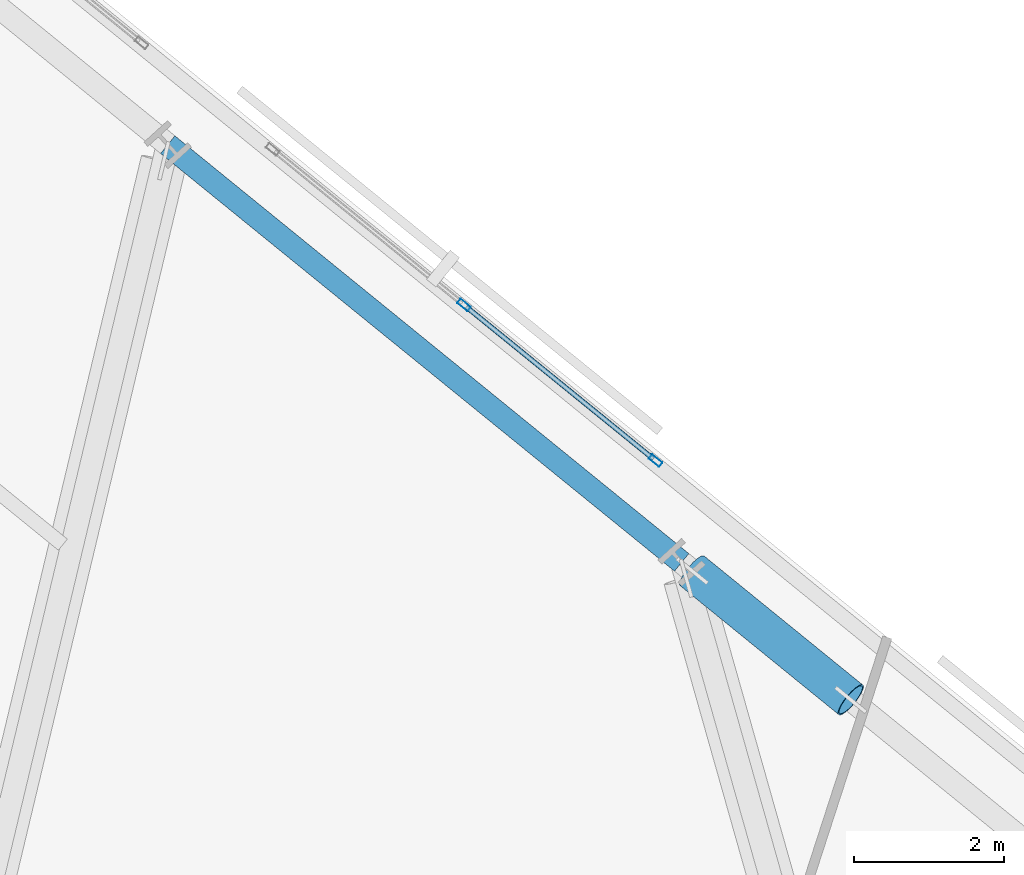
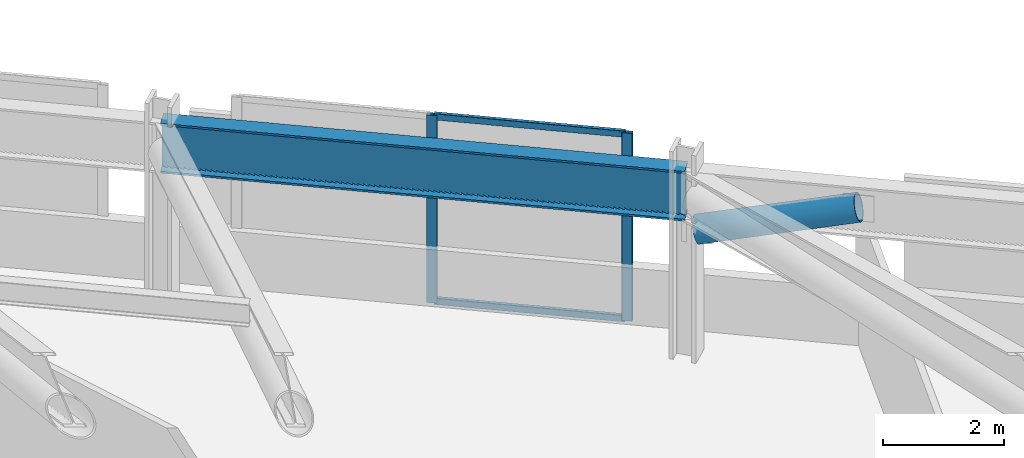
# One storey, part 9 of 18: 5 members, 1 beam, 1 element without a shape of its own.
"""IFC4 building model written with IfcOpenShell, lengths in metres."""

from ifc_helpers import new_model, si_unit, direction, frame, origin, origin_2d, place, context, subcontext, project, spatial, hollow_rectangle, hollow_circle, i_section, extrude, material, material_profile, profile_set, type_object, element, aggregate, save


model = new_model("IFC4")

# Units and contexts
model_context = context("Model", 3, precision=1e-05, world=origin(), true_north=direction((0.0, 1.0)))
body_context = subcontext(model_context, "Body", "Model", "MODEL_VIEW")
ifc_project = project(units=[si_unit("LENGTHUNIT", "METRE"), si_unit("AREAUNIT", "SQUARE_METRE"), si_unit("VOLUMEUNIT", "CUBIC_METRE"), si_unit("PLANEANGLEUNIT", "RADIAN"), si_unit("MASSUNIT", "GRAM", prefix="KILO")], contexts=[model_context])

# Site, building, storey
site_placement = place(None, origin())
site = spatial("IfcSite", under=ifc_project, at=site_placement, CompositionType="ELEMENT")
building_placement = place(site_placement, origin())
building = spatial("IfcBuilding", under=site, at=building_placement, Name="Narakoshi Arena Tower", CompositionType="ELEMENT")
storey_placement = place(building_placement, frame((0.0, 0.0, 59.10009765625)))
storey = spatial("IfcBuildingStorey", under=building, at=storey_placement, Name="L15", CompositionType="ELEMENT", Elevation=59.10009765625)

# Beam
ifc_material_1 = material(Name="Structural steel S460ML", Category="steel")
ifc_material_profile_1 = material_profile(ifc_material_1, i_section(OverallWidth=0.302001953125, OverallDepth=1.008056640625, WebThickness=0.02099609375, FlangeThickness=0.0400390625, FilletRadius=0.030029296875, at=origin_2d()), Name="HE1000M")
ifc_profile_set_1 = profile_set([ifc_material_profile_1], Name="Structural steel S460ML")
beam_type = type_object("IfcBeamType", Name="BM-XFER-1000", PredefinedType="BEAM", material=ifc_profile_set_1)
beam_placement = place(storey_placement, frame((82.626953125, 66.838623046875, 3.2958984375), z_axis=(-0.775997794165, 0.630735620883, 0.0), x_axis=(-0.630735620883, -0.775997794165, 0.0)))
element("IfcBeam", 1, at=beam_placement, inside=storey, type_object=beam_type, Name="L15 Perimeter Transfer Ring Girder 10", PredefinedType="BEAM", context=body_context, shape_type="SweptSolid", body=[
    extrude(i_section(OverallWidth=0.302001953125, OverallDepth=1.008056640625, WebThickness=0.02099609375, FlangeThickness=0.0400390625, FilletRadius=0.030029296875, at=origin_2d()), origin(), (0.0, 0.0, 1.0), 8.80517578125),
])

# Member
ifc_material_profile_2 = material_profile(ifc_material_1, hollow_circle(Radius=0.25390625, WallThickness=0.02001953125, at=origin_2d()), Name="CHS508x20")
ifc_profile_set_2 = profile_set([ifc_material_profile_2], Name="Structural steel S460ML")
member_type_1 = type_object("IfcMemberType", Name="MEM-BLT-508", PredefinedType="BRACE", material=ifc_profile_set_2)
member_1_placement = place(storey_placement, frame((82.7666015625, 66.72509765625, 2.5498046875), z_axis=(0.748313115635, -0.608199369922, 0.264803714843), x_axis=(0.630714401562, 0.776015040874, 0.0)))
element("IfcMember", 2, at=member_1_placement, inside=storey, type_object=member_type_1, Name="L15 Perimeter Belt-Truss Diagonal 10", PredefinedType="BRACE", context=body_context, shape_type="SweptSolid", body=[
    extrude(hollow_circle(Radius=0.25390625, WallThickness=0.02001953125, at=origin_2d()), origin(), (0.0, 0.0, 1.0), 2.817626953125),
])

# Curtain wall, members
ifc_material_2 = material(Name="Anodised bronze aluminium 6063-T6", Category="aluminium")
curtain_wall_type = type_object("IfcCurtainWallType", Name="CW-HYP-LOW", PredefinedType="NOTDEFINED", material=ifc_material_2)
curtain_wall_placement = place(storey_placement, origin())
curtain_wall = element("IfcCurtainWall", 3, at=curtain_wall_placement, inside=storey, type_object=curtain_wall_type, Name="L15 Folded Hypotenuse Curtain Wall 2-2", PredefinedType="NOTDEFINED")
ifc_material_profile_3 = material_profile(ifc_material_2, hollow_rectangle(XDim=0.074951171875, YDim=0.179931640625, WallThickness=0.00390625, OuterFilletRadius=0.0048828125, at=origin_2d()), Name="MUL180x75x4")
ifc_profile_set_3 = profile_set([ifc_material_profile_3], Name="Anodised bronze aluminium 6063-T6")
member_type_2 = type_object("IfcMemberType", Name="MEM-MUL-180", PredefinedType="MULLION", material=ifc_profile_set_3)
member_2_placement = place(storey_placement, frame((82.279296875, 68.191162109375, 0.0), z_axis=(0.0, 0.0, 1.0), x_axis=(-0.630733350892, -0.775999639222, 0.0)))
member_2 = element("IfcMember", 4, at=member_2_placement, type_object=member_type_2, Name="CW-01 mullion 1", PredefinedType="MULLION", context=body_context, shape_type="SweptSolid", body=[
    extrude(hollow_rectangle(XDim=0.074951171875, YDim=0.179931640625, WallThickness=0.00390625, OuterFilletRadius=0.0048828125, at=origin_2d()), origin(), (0.0, 0.0, 1.0), 3.7998046875),
])
member_3_placement = place(storey_placement, frame((79.734375, 70.259521484375, 0.0), z_axis=(0.0, 0.0, 1.0), x_axis=(-0.630733350892, -0.775999639222, 0.0)))
member_3 = element("IfcMember", 5, at=member_3_placement, type_object=member_type_2, Name="CW-01 mullion 2", PredefinedType="MULLION", context=body_context, shape_type="SweptSolid", body=[
    extrude(hollow_rectangle(XDim=0.074951171875, YDim=0.179931640625, WallThickness=0.00390625, OuterFilletRadius=0.0048828125, at=origin_2d()), origin(), (0.0, 0.0, 1.0), 3.7998046875),
])
ifc_material_profile_4 = material_profile(ifc_material_2, hollow_rectangle(XDim=0.06494140625, YDim=0.1298828125, WallThickness=0.00390625, OuterFilletRadius=0.0048828125, at=origin_2d()), Name="TRN130x65x4")
ifc_profile_set_4 = profile_set([ifc_material_profile_4], Name="Anodised bronze aluminium 6063-T6")
member_type_3 = type_object("IfcMemberType", Name="MEM-TRN-130", PredefinedType="USERDEFINED", material=ifc_profile_set_4)
member_4_placement = place(storey_placement, frame((82.25, 68.214599609375, 0.032470703125), z_axis=(-0.775976484433, 0.630761837469, 0.0), x_axis=(-0.630761837469, -0.775976484433, 0.0)))
member_4 = element("IfcMember", 6, at=member_4_placement, type_object=member_type_3, Name="CW-01 transom 1.1", ObjectType="TRANSOM", PredefinedType="USERDEFINED", context=body_context, shape_type="SweptSolid", body=[
    extrude(hollow_rectangle(XDim=0.06494140625, YDim=0.1298828125, WallThickness=0.00390625, OuterFilletRadius=0.0048828125, at=origin_2d()), origin(), (0.0, 0.0, 1.0), 3.204345703125),
])
member_5_placement = place(storey_placement, frame((82.25, 68.214599609375, 3.767333984375), z_axis=(-0.775976484433, 0.630761837469, 0.0), x_axis=(-0.630761837469, -0.775976484433, 0.0)))
member_5 = element("IfcMember", 7, at=member_5_placement, type_object=member_type_3, Name="CW-01 transom 1.2", ObjectType="TRANSOM", PredefinedType="USERDEFINED", context=body_context, shape_type="SweptSolid", body=[
    extrude(hollow_rectangle(XDim=0.06494140625, YDim=0.1298828125, WallThickness=0.00390625, OuterFilletRadius=0.0048828125, at=origin_2d()), origin(), (0.0, 0.0, 1.0), 3.204345703125),
])
aggregate(curtain_wall, [member_2, member_3, member_4, member_5])

save(model, "model.ifc")
